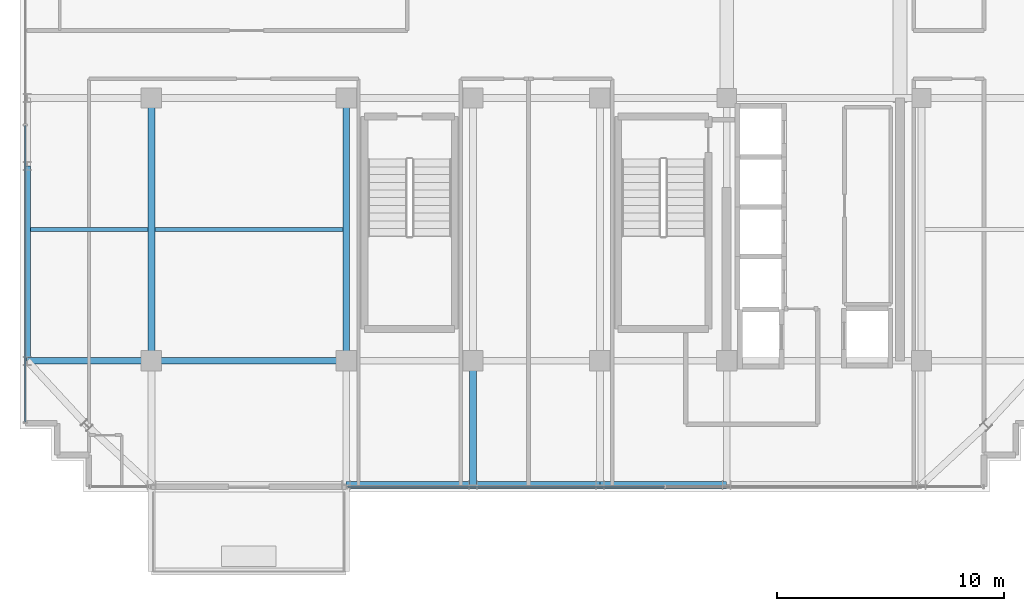
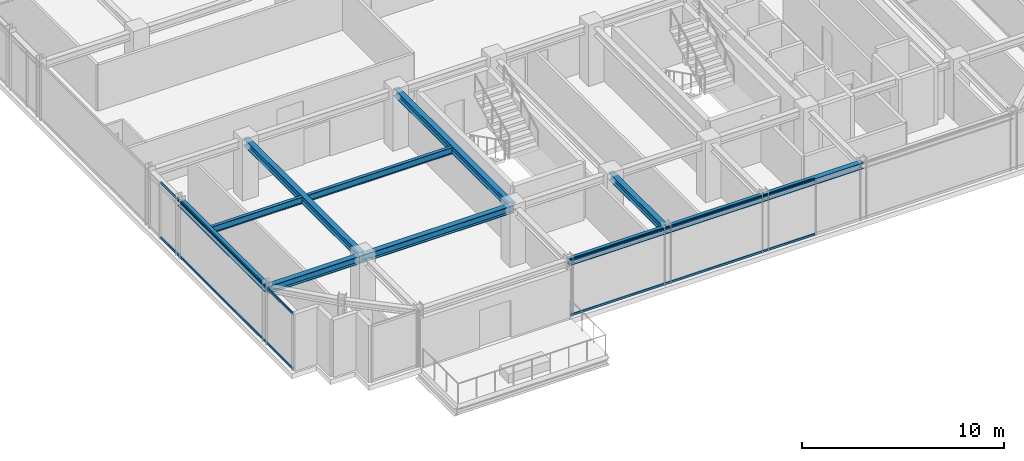
# One storey, part 6 of 32: 11 beams, 4 members, 2 elements without a shape of their own.
"""IFC4 building model written with IfcOpenShell, lengths in metres."""

import ifcopenshell
import ifcopenshell.guid

model = None  # the IFC model being written
_history = None  # IfcOwnerHistory: only IFC2X3 demands one
_inside = {}  # id of a spatial element -> (the spatial element, [elements in it])
_under = {}  # id of a project, library or spatial element -> (it, [spatial elements below it])
_declared = {}  # id of a project -> (the project, [libraries it declares])
_typed = {}  # id of a type object -> (the type object, [elements of that type])
_made_of = {}  # id of a material, layer set ... -> (it, [elements and type objects made of it])


def new_model(schema):
    """Start an empty IFC model of exactly this schema.

    Asked for "IFC4X3", IfcOpenShell would pick the latest addendum, in which some entities
    have other attributes; the version numbers below select the first issue.
    IFC2X3 requires an IfcOwnerHistory on every rooted entity: one is made here for all.
    """
    global model, _history
    if schema == "IFC4X3":
        model = ifcopenshell.file(schema_version=(4, 3, 0, 0))
    else:
        model = ifcopenshell.file(schema=schema)
    _inside.clear()
    _under.clear()
    _declared.clear()
    _typed.clear()
    _made_of.clear()
    _history = None
    if model.schema == "IFC2X3":
        org = make("IfcOrganization", Name="unknown")
        user = make(
            "IfcPersonAndOrganization",
            ThePerson=make("IfcPerson", FamilyName="unknown"),
            TheOrganization=org,
        )
        app = make(
            "IfcApplication",
            ApplicationDeveloper=org,
            Version="unknown",
            ApplicationFullName="unknown",
            ApplicationIdentifier="unknown",
        )
        _history = make(
            "IfcOwnerHistory",
            OwningUser=user,
            OwningApplication=app,
            ChangeAction="ADDED",
            CreationDate=0,
        )
    return model


def make(cls, **values):
    """One entity of the class cls with the attributes given. An attribute that is None is left unset."""
    return model.create_entity(
        cls, **{name: value for name, value in values.items() if value is not None}
    )


def rooted(cls, **values):
    """An entity with a GlobalId (a new one), such as an element, a storey or a relation."""
    return make(cls, GlobalId=ifcopenshell.guid.new(), OwnerHistory=_history, **values)


def si_unit(unit_type, name, prefix=None):
    """IfcSIUnit, for example si_unit("LENGTHUNIT", "METRE", prefix="MILLI")."""
    return make("IfcSIUnit", UnitType=unit_type, Prefix=prefix, Name=name)


def assignment(units):
    """IfcUnitAssignment: the units of a project."""
    return None if units is None else make("IfcUnitAssignment", Units=units)


def point(xyz):
    """IfcCartesianPoint."""
    return None if xyz is None else make("IfcCartesianPoint", Coordinates=xyz)


def direction(xyz):
    """IfcDirection."""
    return None if xyz is None else make("IfcDirection", DirectionRatios=xyz)


def frame(location, z_axis=None, x_axis=None):
    """IfcAxis2Placement3D, a coordinate frame: its origin and axes. An axis left out is left unset."""
    return make(
        "IfcAxis2Placement3D",
        Location=point(location),
        Axis=direction(z_axis),
        RefDirection=direction(x_axis),
    )


def frame_2d(location, x_axis=None):
    """IfcAxis2Placement2D, a coordinate frame in the plane: its origin and x axis."""
    return make(
        "IfcAxis2Placement2D", Location=point(location), RefDirection=direction(x_axis)
    )


def origin():
    """The frame at (0, 0, 0) with its axes left unset."""
    return frame((0.0, 0.0, 0.0))


def origin_2d():
    """The frame at (0, 0) in the plane with its x axis left unset."""
    return frame_2d((0.0, 0.0))


def place(relative_to, where):
    """IfcLocalPlacement: puts the frame where relative to a parent placement (None: the world)."""
    return make(
        "IfcLocalPlacement", PlacementRelTo=relative_to, RelativePlacement=where
    )


def context(
    kind, dimensions, precision=None, world=None, true_north=None, identifier=None
):
    """IfcGeometricRepresentationContext, for example the 3D "Model" context."""
    return make(
        "IfcGeometricRepresentationContext",
        ContextIdentifier=identifier,
        ContextType=kind,
        CoordinateSpaceDimension=dimensions,
        Precision=precision,
        WorldCoordinateSystem=world,
        TrueNorth=true_north,
    )


def subcontext(parent, identifier, kind, view, scale=None):
    """IfcGeometricRepresentationSubContext, for example "Body" below "Model"."""
    return make(
        "IfcGeometricRepresentationSubContext",
        ContextIdentifier=identifier,
        ContextType=kind,
        ParentContext=parent,
        TargetScale=scale,
        TargetView=view,
    )


def project(units=None, contexts=None):
    """IfcProject with its units and contexts."""
    return rooted(
        "IfcProject",
        Name="project",
        RepresentationContexts=contexts,
        UnitsInContext=assignment(units),
    )


def spatial(cls, under=None, at=None, **own):
    """A site, building, storey or space (cls), placed at a placement, below another one or the project."""
    s = rooted(cls, ObjectPlacement=at, **own)
    if under is not None:
        _under.setdefault(under.id(), (under, []))[1].append(s)
    return s


def profile(cls, at=None, kind="AREA", **sizes):
    """A parametric profile (cls). Its sizes go by their IFC names, for example OverallWidth=200.0."""
    return make(cls, ProfileType=kind, Position=at, **sizes)


def hollow_rectangle(**sizes):
    """IfcRectangleHollowProfileDef."""
    return profile("IfcRectangleHollowProfileDef", **sizes)


def i_section(**sizes):
    """IfcIShapeProfileDef."""
    return profile("IfcIShapeProfileDef", **sizes)


def extrude(swept, where, along, depth):
    """IfcExtrudedAreaSolid: the profile swept, set in the frame where, extruded along a direction by depth."""
    return make(
        "IfcExtrudedAreaSolid",
        SweptArea=swept,
        Position=where,
        ExtrudedDirection=direction(along),
        Depth=depth,
    )


def shape(context_of_items, identifier, shape_type, items):
    """IfcShapeRepresentation: the items that make up one representation, for example the "Body"."""
    return make(
        "IfcShapeRepresentation",
        ContextOfItems=context_of_items,
        RepresentationIdentifier=identifier,
        RepresentationType=shape_type,
        Items=items,
    )


def source(mapping_origin, context_of_items, identifier, shape_type, items):
    """IfcRepresentationMap: a shape defined once, which mapped items show again and again."""
    return make(
        "IfcRepresentationMap",
        MappingOrigin=mapping_origin,
        MappedRepresentation=shape(context_of_items, identifier, shape_type, items),
    )


def transform(
    local_origin,
    x_axis=None,
    y_axis=None,
    z_axis=None,
    scale=None,
    scale2=None,
    scale3=None,
    uniform=True,
):
    """IfcCartesianTransformationOperator3D, or its non-uniform kind. x_axis, y_axis, z_axis: its Axis1, 2, 3."""
    if uniform:
        return make(
            "IfcCartesianTransformationOperator3D",
            Axis1=direction(x_axis),
            Axis2=direction(y_axis),
            LocalOrigin=point(local_origin),
            Scale=scale,
            Axis3=direction(z_axis),
        )
    return make(
        "IfcCartesianTransformationOperator3DnonUniform",
        Axis1=direction(x_axis),
        Axis2=direction(y_axis),
        LocalOrigin=point(local_origin),
        Scale=scale,
        Axis3=direction(z_axis),
        Scale2=scale2,
        Scale3=scale3,
    )


def mapped(mapping_source, mapping_target):
    """IfcMappedItem: shows the shape of a source again, moved by a transform."""
    return make(
        "IfcMappedItem", MappingSource=mapping_source, MappingTarget=mapping_target
    )


def material(Name=None, Category=None):
    """IfcMaterial."""
    return make("IfcMaterial", Name=Name, Category=Category)


def material_profile(
    of_material, cross_section, Name=None, Category=None, Priority=None
):
    """IfcMaterialProfile: a cross section and its material."""
    return make(
        "IfcMaterialProfile",
        Name=Name,
        Material=of_material,
        Profile=cross_section,
        Priority=Priority,
        Category=Category,
    )


def profile_set(profiles, Name=None, composite=None):
    """IfcMaterialProfileSet."""
    return make(
        "IfcMaterialProfileSet",
        Name=Name,
        MaterialProfiles=profiles,
        CompositeProfile=composite,
    )


def made_of(thing, what):
    """Note that an element or type object is made of a material, layer set ...; save() writes the relation."""
    if what is not None:
        _made_of.setdefault(what.id(), (what, []))[1].append(thing)
    return thing


def type_object(cls, material=None, **own):
    """A type object (cls), such as IfcWallType, which elements share."""
    return made_of(rooted(cls, **own), material)


def element(
    cls,
    number,
    at=None,
    inside=None,
    cuts=None,
    type_object=None,
    material=None,
    context=None,
    identifier="Body",
    shape_type=None,
    held_by="IfcProductDefinitionShape",
    body=None,
    shapes=None,
    **own,
):
    """One element of the class cls, such as IfcWall. Its Tag is "e" and its number.

    at: its placement. inside: the storey or other place that contains it. cuts: it is an
    opening in that element (IfcRelVoidsElement). A single representation is given by context,
    identifier, shape_type and body (its items); several are given by shapes. held_by: the class
    of the entity that holds the representations. save() writes the other relations.
    """
    e = rooted(cls, Tag="e%d" % number, ObjectPlacement=at, **own)
    if body is not None:
        shapes = [shape(context, identifier, shape_type, body)]
    if shapes is not None:
        e.Representation = make(held_by, Representations=shapes)
    if inside is not None:
        _inside.setdefault(inside.id(), (inside, []))[1].append(e)
    if cuts is not None:
        rooted(
            "IfcRelVoidsElement", RelatingBuildingElement=cuts, RelatedOpeningElement=e
        )
    if type_object is not None:
        _typed.setdefault(type_object.id(), (type_object, []))[1].append(e)
    return made_of(e, material)


def aggregate(whole, parts):
    """IfcRelAggregates: a whole, such as a stair, and the parts it consists of."""
    return rooted("IfcRelAggregates", RelatingObject=whole, RelatedObjects=parts)


def save(model, path):
    """Write the relations noted so far, then the file.

    IfcRelAggregates (storeys below a building ...), IfcRelContainedInSpatialStructure (elements
    in a storey), IfcRelDefinesByType, IfcRelAssociatesMaterial and IfcRelDeclares: one each for
    every whole, place, type object, material and project.
    """
    for whole, parts in _under.values():
        aggregate(whole, parts)
    for where, things in _inside.values():
        rooted(
            "IfcRelContainedInSpatialStructure",
            RelatedElements=things,
            RelatingStructure=where,
        )
    for kind, things in _typed.values():
        rooted("IfcRelDefinesByType", RelatedObjects=things, RelatingType=kind)
    for what, things in _made_of.values():
        rooted("IfcRelAssociatesMaterial", RelatedObjects=things, RelatingMaterial=what)
    for by, libraries in _declared.values():
        rooted("IfcRelDeclares", RelatingContext=by, RelatedDefinitions=libraries)
    model.write(path)


model = new_model("IFC4")

# Units and contexts
model_context = context("Model", 3, precision=1e-05, world=origin(), true_north=direction((0.0, 1.0)))
body_context = subcontext(model_context, "Body", "Model", "MODEL_VIEW")
ifc_project = project(units=[si_unit("LENGTHUNIT", "METRE"), si_unit("AREAUNIT", "SQUARE_METRE"), si_unit("VOLUMEUNIT", "CUBIC_METRE"), si_unit("PLANEANGLEUNIT", "RADIAN"), si_unit("MASSUNIT", "GRAM", prefix="KILO")], contexts=[model_context])

# Site, building, storey
site_placement = place(None, origin())
site = spatial("IfcSite", under=ifc_project, at=site_placement, CompositionType="ELEMENT")
building_placement = place(site_placement, origin())
building = spatial("IfcBuilding", under=site, at=building_placement, Name="Nahalor Promenade Grand Hotel", CompositionType="ELEMENT")
storey_placement = place(building_placement, frame((0.0, 0.0, 285.050048828125)))
storey = spatial("IfcBuildingStorey", under=building, at=storey_placement, Name="L73", CompositionType="ELEMENT", Elevation=285.050048828125)

# Beams
ifc_material_1 = material(Name="Steel S355JR", Category="steel")
ifc_material_profile_1 = material_profile(ifc_material_1, i_section(OverallWidth=0.3, OverallDepth=0.45, WebThickness=0.014, FlangeThickness=0.026, at=origin_2d()), Name="HEB 450")
ifc_profile_set_1 = profile_set([ifc_material_profile_1], Name="Steel S355JR")
beam_type_1 = type_object("IfcBeamType", Name="Beam-Girder-HEB450", PredefinedType="BEAM", material=ifc_profile_set_1)
shared_shape_1 = source(origin(), body_context, "Body", "SweptSolid", [
    extrude(i_section(OverallWidth=0.3, OverallDepth=0.45, WebThickness=0.014, FlangeThickness=0.026, at=origin_2d()), origin(), (0.0, 0.0, 1.0), 8.60009765625),
])
beam_1_placement = place(storey_placement, frame((-17.0, -17.0, 3.224853515625), z_axis=(1.0, 0.0, 0.0), x_axis=(0.0, 1.0, 0.0)))
element("IfcBeam", 1, at=beam_1_placement, inside=storey, type_object=beam_type_1, Name="BM-L73-GX-0-1", PredefinedType="BEAM", context=body_context, shape_type="MappedRepresentation", body=[
    mapped(shared_shape_1, transform((0.0, 0.0, 0.0), scale=1.0)),
])
shared_shape_2 = source(origin(), body_context, "Body", "SweptSolid", [
    extrude(i_section(OverallWidth=0.3, OverallDepth=0.45, WebThickness=0.014, FlangeThickness=0.026, at=origin_2d()), origin(), (0.0, 0.0, 1.0), 11.60009765625),
])
for number, where, z_axis, x_axis, name in (
    (2, (-17.0, -17.0, 3.224853515625), (0.0, 1.0, 0.0), (-1.0, 0.0, 0.0), "BM-L73-GY-0-1"),
    (3, (-8.39990234375, -17.0, 3.224853515625), (0.0, 1.0, 0.0), (-1.0, 0.0, 0.0), "BM-L73-GY-1-1"),
):
    element("IfcBeam", number, at=place(storey_placement, frame(where, z_axis=z_axis, x_axis=x_axis)), inside=storey, type_object=beam_type_1, Name=name, PredefinedType="BEAM", context=body_context, shape_type="MappedRepresentation", body=[
        mapped(shared_shape_2, transform((0.0, 0.0, 0.0), scale=1.0)),
    ])
ifc_material_profile_2 = material_profile(ifc_material_1, i_section(OverallWidth=0.18, OverallDepth=0.4, WebThickness=0.0086, FlangeThickness=0.0135, at=origin_2d()), Name="IPE 400")
ifc_profile_set_2 = profile_set([ifc_material_profile_2], Name="Steel S355JR")
beam_type_2 = type_object("IfcBeamType", Name="Beam-Joist-IPE400", PredefinedType="JOIST", material=ifc_profile_set_2)
shared_shape_3 = source(origin(), body_context, "Body", "SweptSolid", [
    extrude(i_section(OverallWidth=0.18, OverallDepth=0.4, WebThickness=0.0086, FlangeThickness=0.0135, at=origin_2d()), origin(), (0.0, 0.0, 1.0), 8.300048828125),
])
beam_2_placement = place(storey_placement, frame((-16.85009765625, -11.199951171875, 3.25), z_axis=(1.0, 0.0, 0.0), x_axis=(0.0, 1.0, 0.0)))
element("IfcBeam", 4, at=beam_2_placement, inside=storey, type_object=beam_type_2, Name="BM-L73-JSW-0-1", PredefinedType="JOIST", context=body_context, shape_type="MappedRepresentation", body=[
    mapped(shared_shape_3, transform((0.0, 0.0, 0.0), scale=1.0)),
])
shared_shape_4 = source(origin(), body_context, "Body", "SweptSolid", [
    extrude(i_section(OverallWidth=0.3, OverallDepth=0.45, WebThickness=0.014, FlangeThickness=0.026, at=origin_2d()), origin(), (0.0, 0.0, 1.0), 5.47998046875),
])
for number, where, z_axis, x_axis, name in (
    (5, (-22.47998046875, -17.0, 3.224853515625), (1.0, 0.0, 0.0), (0.0, 1.0, 0.0), "BM-L73-GX-0-0"),
    (6, (-2.800048828125, -22.47998046875, 3.224853515625), (0.0, 1.0, 0.0), (-1.0, 0.0, 0.0), "BM-L73-GY-2-0"),
):
    element("IfcBeam", number, at=place(storey_placement, frame(where, z_axis=z_axis, x_axis=x_axis)), inside=storey, type_object=beam_type_1, Name=name, PredefinedType="BEAM", context=body_context, shape_type="MappedRepresentation", body=[
        mapped(shared_shape_4, transform((0.0, 0.0, 0.0), scale=1.0)),
    ])
shared_shape_5 = source(origin(), body_context, "Body", "SweptSolid", [
    extrude(i_section(OverallWidth=0.18, OverallDepth=0.4, WebThickness=0.0086, FlangeThickness=0.0135, at=origin_2d()), origin(), (0.0, 0.0, 1.0), 5.18017578125),
])
beam_3_placement = place(storey_placement, frame((-22.330078125, -11.199951171875, 3.25), z_axis=(1.0, 0.0, 0.0), x_axis=(0.0, 1.0, 0.0)))
element("IfcBeam", 7, at=beam_3_placement, inside=storey, type_object=beam_type_2, Name="BM-L73-JSW-0-0", PredefinedType="JOIST", context=body_context, shape_type="MappedRepresentation", body=[
    mapped(shared_shape_5, transform((0.0, 0.0, 0.0), scale=1.0)),
])
ifc_material_profile_3 = material_profile(ifc_material_1, i_section(OverallWidth=0.3, OverallDepth=0.36, WebThickness=0.0125, FlangeThickness=0.0225, at=origin_2d()), Name="HEB 360")
ifc_profile_set_3 = profile_set([ifc_material_profile_3], Name="Steel S355JR")
beam_type_3 = type_object("IfcBeamType", Name="Beam-Spandrel-HEB360", PredefinedType="SPANDREL", material=ifc_profile_set_3)
shared_shape_6 = source(origin(), body_context, "Body", "SweptSolid", [
    extrude(i_section(OverallWidth=0.3, OverallDepth=0.36, WebThickness=0.0125, FlangeThickness=0.0225, at=origin_2d()), origin(), (0.0, 0.0, 1.0), 8.60009765625),
])
beam_4_placement = place(storey_placement, frame((-22.47998046875, -17.0, 3.27001953125), z_axis=(0.0, 1.0, 0.0), x_axis=(-1.0, 0.0, 0.0)))
element("IfcBeam", 8, at=beam_4_placement, inside=storey, type_object=beam_type_3, Name="BM-L73-SP-W-0", PredefinedType="SPANDREL", context=body_context, shape_type="MappedRepresentation", body=[
    mapped(shared_shape_6, transform((0.0, 0.0, 0.0), scale=1.0)),
])
shared_shape_7 = source(origin(), body_context, "Body", "SweptSolid", [
    extrude(i_section(OverallWidth=0.3, OverallDepth=0.36, WebThickness=0.0125, FlangeThickness=0.0225, at=origin_2d()), origin(), (0.0, 0.0, 1.0), 5.599853515625),
])
for number, where, z_axis, x_axis, name in (
    (9, (-8.39990234375, -22.47998046875, 3.27001953125), (1.0, 0.0, 0.0), (0.0, 1.0, 0.0), "BM-L73-SP-S-1"),
    (10, (2.800048828125, -22.47998046875, 3.27001953125), (1.0, 0.0, 0.0), (0.0, 1.0, 0.0), "BM-L73-SP-S-3"),
):
    element("IfcBeam", number, at=place(storey_placement, frame(where, z_axis=z_axis, x_axis=x_axis)), inside=storey, type_object=beam_type_3, Name=name, PredefinedType="SPANDREL", context=body_context, shape_type="MappedRepresentation", body=[
        mapped(shared_shape_7, transform((0.0, 0.0, 0.0), scale=1.0)),
    ])
shared_shape_8 = source(origin(), body_context, "Body", "SweptSolid", [
    extrude(i_section(OverallWidth=0.3, OverallDepth=0.36, WebThickness=0.0125, FlangeThickness=0.0225, at=origin_2d()), origin(), (0.0, 0.0, 1.0), 5.60009765625),
])
beam_5_placement = place(storey_placement, frame((-2.800048828125, -22.47998046875, 3.27001953125), z_axis=(1.0, 0.0, 0.0), x_axis=(0.0, 1.0, 0.0)))
element("IfcBeam", 11, at=beam_5_placement, inside=storey, type_object=beam_type_3, Name="BM-L73-SP-S-2", PredefinedType="SPANDREL", context=body_context, shape_type="MappedRepresentation", body=[
    mapped(shared_shape_8, transform((0.0, 0.0, 0.0), scale=1.0)),
])

# Curtain wall, members
ifc_material_2 = material(Name="Anodised Bronze Aluminium EN AW-6063 T6", Category="aluminium")
curtain_wall_type = type_object("IfcCurtainWallType", Name="CW2 Typical Hotel Flush Bronze Unitised Curtain Wall", PredefinedType="USERDEFINED", material=ifc_material_2)
curtain_wall_1_placement = place(storey_placement, origin())
curtain_wall_1 = element("IfcCurtainWall", 12, at=curtain_wall_1_placement, inside=storey, type_object=curtain_wall_type, Name="L73 Curtain Wall CW-L73-S-3", ObjectType="UNITISED_CURTAIN_WALL", PredefinedType="USERDEFINED")
ifc_material_profile_4 = material_profile(ifc_material_2, hollow_rectangle(XDim=0.065, YDim=0.13, WallThickness=0.004, at=origin_2d()), Name="CWT 65x130x4")
ifc_profile_set_4 = profile_set([ifc_material_profile_4], Name="Anodised Bronze Aluminium EN AW-6063 T6")
member_type = type_object("IfcMemberType", Name="CWT2 Typical Bronze Transom 65x130", PredefinedType="USERDEFINED", material=ifc_profile_set_4)
shared_shape_9 = source(origin(), body_context, "Body", "SweptSolid", [
    extrude(hollow_rectangle(XDim=0.065, YDim=0.13, WallThickness=0.004, at=origin_2d()), origin(), (0.0, 0.0, 1.0), 13.982421875),
])
member_1_placement = place(storey_placement, frame((-8.3349609375, -22.56005859375, 0.06494140625), z_axis=(1.0, 0.0, 0.0), x_axis=(0.0, 1.0, 0.0)))
member_1 = element("IfcMember", 13, at=member_1_placement, type_object=member_type, Name="CW-L73-S-3 Transom 0-0", ObjectType="TRANSOM", PredefinedType="USERDEFINED", context=body_context, shape_type="MappedRepresentation", body=[
    mapped(shared_shape_9, transform((0.0, 0.0, 0.0), scale=1.0)),
])
member_2_placement = place(storey_placement, frame((-8.3349609375, -22.56005859375, 3.385009765625), z_axis=(1.0, 0.0, 0.0), x_axis=(0.0, 1.0, 0.0)))
member_2 = element("IfcMember", 14, at=member_2_placement, type_object=member_type, Name="CW-L73-S-3 Transom 0-1", ObjectType="TRANSOM", PredefinedType="USERDEFINED", context=body_context, shape_type="MappedRepresentation", body=[
    mapped(shared_shape_9, transform((0.0, 0.0, 0.0), scale=1.0)),
])
aggregate(curtain_wall_1, [member_1, member_2])

curtain_wall_2_placement = place(storey_placement, origin())
curtain_wall_2 = element("IfcCurtainWall", 15, at=curtain_wall_2_placement, inside=storey, type_object=curtain_wall_type, Name="L73 Curtain Wall CW-L73-W-1", ObjectType="UNITISED_CURTAIN_WALL", PredefinedType="USERDEFINED")
shared_shape_10 = source(origin(), body_context, "Body", "SweptSolid", [
    extrude(hollow_rectangle(XDim=0.065, YDim=0.13, WallThickness=0.004, at=origin_2d()), origin(), (0.0, 0.0, 1.0), 13.075927734375),
])
member_3_placement = place(storey_placement, frame((-22.56005859375, -19.695068359375, 0.06494140625), z_axis=(0.0, 1.0, 0.0), x_axis=(-1.0, 0.0, 0.0)))
member_3 = element("IfcMember", 16, at=member_3_placement, type_object=member_type, Name="CW-L73-W-1 Transom 0-0", ObjectType="TRANSOM", PredefinedType="USERDEFINED", context=body_context, shape_type="MappedRepresentation", body=[
    mapped(shared_shape_10, transform((0.0, 0.0, 0.0), scale=1.0)),
])
member_4_placement = place(storey_placement, frame((-22.56005859375, -19.695068359375, 3.385009765625), z_axis=(0.0, 1.0, 0.0), x_axis=(-1.0, 0.0, 0.0)))
member_4 = element("IfcMember", 17, at=member_4_placement, type_object=member_type, Name="CW-L73-W-1 Transom 0-1", ObjectType="TRANSOM", PredefinedType="USERDEFINED", context=body_context, shape_type="MappedRepresentation", body=[
    mapped(shared_shape_10, transform((0.0, 0.0, 0.0), scale=1.0)),
])
aggregate(curtain_wall_2, [member_3, member_4])

save(model, "model.ifc")
